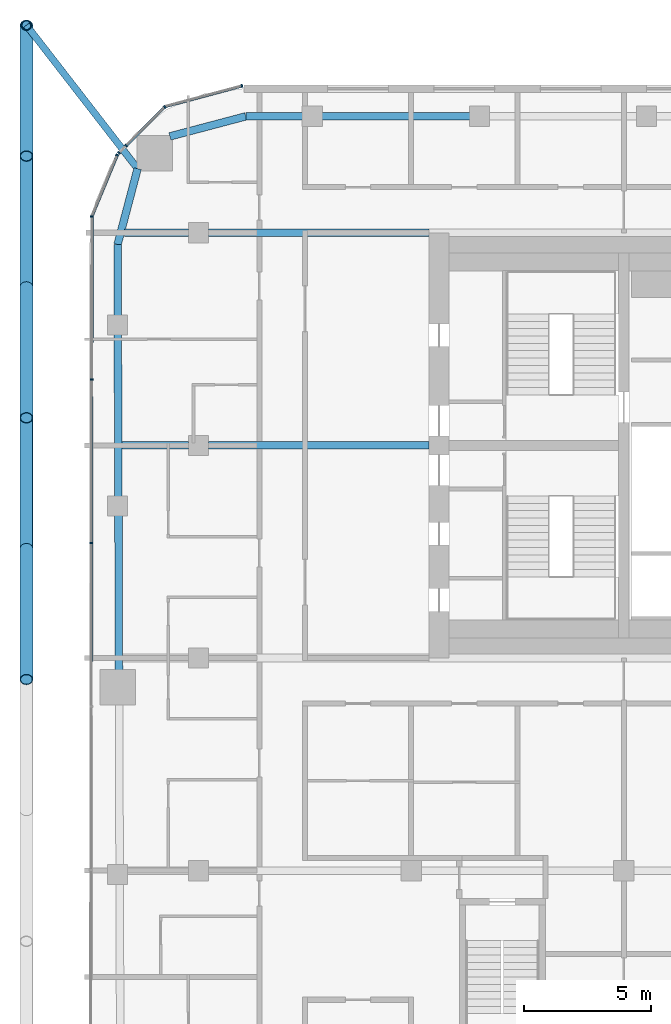
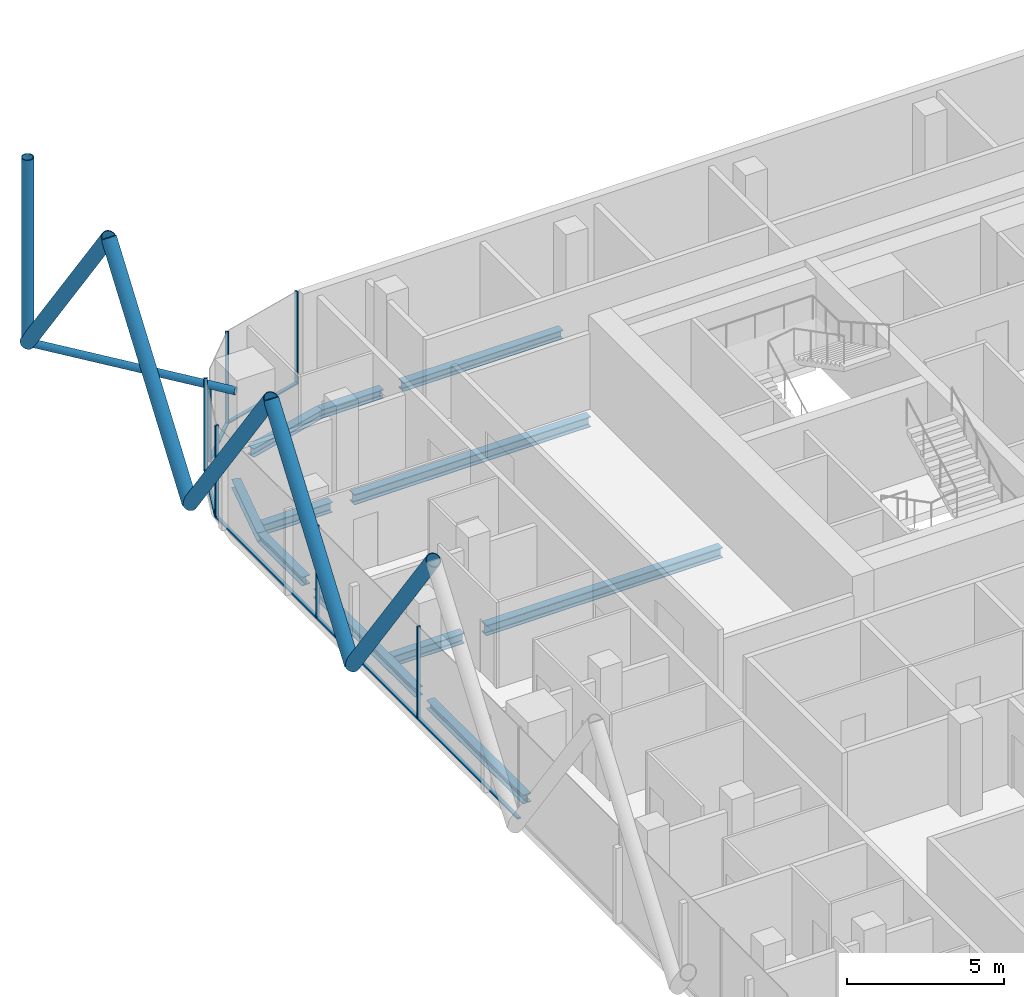
# One storey, part 8 of 28: 21 members, 11 beams, 5 elements without a shape of their own.
"""IFC4 building model written with IfcOpenShell, lengths in metres."""

from ifc_helpers import new_model, si_unit, direction, frame, origin, origin_2d, place, context, subcontext, project, spatial, rectangle, hollow_circle, i_section, extrude, material, layer, layer_set, material_profile, profile_set, type_object, element, aggregate, save


model = new_model("IFC4")

# Units and contexts
model_context = context("Model", 3, precision=1e-05, world=origin(), true_north=direction((0.0, 1.0)))
body_context = subcontext(model_context, "Body", "Model", "MODEL_VIEW")
ifc_project = project(units=[si_unit("LENGTHUNIT", "METRE"), si_unit("AREAUNIT", "SQUARE_METRE"), si_unit("VOLUMEUNIT", "CUBIC_METRE"), si_unit("PLANEANGLEUNIT", "RADIAN"), si_unit("MASSUNIT", "GRAM", prefix="KILO")], contexts=[model_context])

# Site, building, storey
site_placement = place(None, origin())
site = spatial("IfcSite", under=ifc_project, at=site_placement, CompositionType="ELEMENT")
building_placement = place(site_placement, origin())
building = spatial("IfcBuilding", under=site, at=building_placement, Name="Marenta Gate Hotel Tower", CompositionType="ELEMENT")
storey_placement = place(building_placement, frame((0.0, 0.0, 198.5)))
storey = spatial("IfcBuildingStorey", under=building, at=storey_placement, Name="L45", CompositionType="ELEMENT", Elevation=198.5)

# Members
ifc_material_1 = material(Name="Steel S355J2W", Category="steel")
ifc_material_profile_1 = material_profile(ifc_material_1, hollow_circle(Radius=0.203125, WallThickness=0.02490234375, at=origin_2d()), Name="CHS 406.4x25")
ifc_profile_set_1 = profile_set([ifc_material_profile_1], Name="Steel S355J2W")
member_type_1 = type_object("IfcMemberType", Name="Diagrid corner post Z3 CHS 406.4x25", PredefinedType="POST", material=ifc_profile_set_1)
member_1_placement = place(storey_placement, frame((-27.800048828125, 25.0, 3.139892578125), z_axis=(0.0, 0.0, 1.0), x_axis=(1.0, 0.0, 0.0)))
element("IfcMember", 1, at=member_1_placement, inside=storey, type_object=member_type_1, Name="L45-DR-6", PredefinedType="POST", context=body_context, shape_type="SweptSolid", body=[
    extrude(hollow_circle(Radius=0.203125, WallThickness=0.02490234375, at=origin_2d()), origin(), (0.0, 0.0, 1.0), 7.2001953125),
])
ifc_material_2 = material(Name="Steel S355J2W", Category="steel")
ifc_material_profile_2 = material_profile(ifc_material_2, hollow_circle(Radius=0.25390625, WallThickness=0.02490234375, at=origin_2d()), Name="CHS 508x25")
ifc_profile_set_2 = profile_set([ifc_material_profile_2], Name="Steel S355J2W")
member_type_2 = type_object("IfcMemberType", Name="Diagrid diagonal Z3 CHS 508x25", PredefinedType="BRACE", material=ifc_profile_set_2)
member_2_placement = place(storey_placement, frame((-27.800048828125, 4.31982421875, 3.139892578125), z_axis=(0.0, -0.583247791947, 0.812294289767), x_axis=(1.0, 0.0, 0.0)))
element("IfcMember", 2, at=member_2_placement, inside=storey, type_object=member_type_2, Name="L45-DG-30", PredefinedType="BRACE", context=body_context, shape_type="SweptSolid", body=[
    extrude(hollow_circle(Radius=0.25390625, WallThickness=0.02490234375, at=origin_2d()), origin(), (0.0, 0.0, 1.0), 8.864013671875),
])
member_3_placement = place(storey_placement, frame((-27.800048828125, 4.31982421875, 3.139892578125), z_axis=(0.0, 0.583265964901, 0.81228124082), x_axis=(-1.0, 0.0, 0.0)))
element("IfcMember", 3, at=member_3_placement, inside=storey, type_object=member_type_2, Name="L45-DG-31", PredefinedType="BRACE", context=body_context, shape_type="SweptSolid", body=[
    extrude(hollow_circle(Radius=0.25390625, WallThickness=0.02490234375, at=origin_2d()), origin(), (0.0, 0.0, 1.0), 8.8642578125),
])
member_4_placement = place(storey_placement, frame((-27.800048828125, 14.659912109375, 3.139892578125), z_axis=(0.0, -0.583247791947, 0.812294289767), x_axis=(1.0, 0.0, 0.0)))
element("IfcMember", 4, at=member_4_placement, inside=storey, type_object=member_type_2, Name="L45-DG-32", PredefinedType="BRACE", context=body_context, shape_type="SweptSolid", body=[
    extrude(hollow_circle(Radius=0.25390625, WallThickness=0.02490234375, at=origin_2d()), origin(), (0.0, 0.0, 1.0), 8.864013671875),
])
member_5_placement = place(storey_placement, frame((-27.800048828125, 14.659912109375, 3.139892578125), z_axis=(0.0, 0.583265964901, 0.81228124082), x_axis=(-1.0, 0.0, 0.0)))
element("IfcMember", 5, at=member_5_placement, inside=storey, type_object=member_type_2, Name="L45-DG-33", PredefinedType="BRACE", context=body_context, shape_type="SweptSolid", body=[
    extrude(hollow_circle(Radius=0.25390625, WallThickness=0.02490234375, at=origin_2d()), origin(), (0.0, 0.0, 1.0), 8.8642578125),
])
member_6_placement = place(storey_placement, frame((-27.800048828125, 25.0, 3.139892578125), z_axis=(0.0, -0.583247791947, 0.812294289767), x_axis=(1.0, 0.0, 0.0)))
element("IfcMember", 6, at=member_6_placement, inside=storey, type_object=member_type_2, Name="L45-DG-34", PredefinedType="BRACE", context=body_context, shape_type="SweptSolid", body=[
    extrude(hollow_circle(Radius=0.25390625, WallThickness=0.02490234375, at=origin_2d()), origin(), (0.0, 0.0, 1.0), 8.864013671875),
])

# Beams
ifc_material_3 = material(Name="Steel S355", Category="steel")
ifc_material_profile_3 = material_profile(ifc_material_3, i_section(OverallWidth=0.300048828125, OverallDepth=0.340087890625, WebThickness=0.011962890625, FlangeThickness=0.021484375, FilletRadius=0.027099609375, at=origin_2d()), Name="HEB 340")
ifc_profile_set_3 = profile_set([ifc_material_profile_3], Name="Steel S355")
beam_type_1 = type_object("IfcBeamType", Name="Edge beam HEB 340", PredefinedType="SPANDREL", material=ifc_profile_set_3)
beam_1_placement = place(storey_placement, frame((-24.14404296875, -0.489990234375, -0.429931640625), z_axis=(-0.003303859048, 0.999994542243, 0.0), x_axis=(-0.999994542243, -0.003303859048, 0.0)))
element("IfcBeam", 7, at=beam_1_placement, inside=storey, type_object=beam_type_1, Name="L45-EB-8", PredefinedType="SPANDREL", context=body_context, shape_type="SweptSolid", body=[
    extrude(i_section(OverallWidth=0.300048828125, OverallDepth=0.340087890625, WebThickness=0.011962890625, FlangeThickness=0.021484375, FilletRadius=0.027099609375, at=origin_2d()), origin(), (0.0, 0.0, 1.0), 6.13330078125),
])
beam_2_placement = place(storey_placement, frame((-24.166748046875, 6.36328125, -0.429931640625), z_axis=(-0.00333963982, 0.999994423387, 0.0), x_axis=(-0.999994423387, -0.00333963982, 0.0)))
element("IfcBeam", 8, at=beam_2_placement, inside=storey, type_object=beam_type_1, Name="L45-EB-9", PredefinedType="SPANDREL", context=body_context, shape_type="SweptSolid", body=[
    extrude(i_section(OverallWidth=0.300048828125, OverallDepth=0.340087890625, WebThickness=0.011962890625, FlangeThickness=0.021484375, FilletRadius=0.027099609375, at=origin_2d()), origin(), (0.0, 0.0, 1.0), 6.43310546875),
])
beam_3_placement = place(storey_placement, frame((-24.190673828125, 13.516357421875, -0.429931640625), z_axis=(-0.003292020626, 0.999994581285, 0.0), x_axis=(-0.999994581285, -0.003292020626, 0.0)))
element("IfcBeam", 9, at=beam_3_placement, inside=storey, type_object=beam_type_1, Name="L45-EB-10", PredefinedType="SPANDREL", context=body_context, shape_type="SweptSolid", body=[
    extrude(i_section(OverallWidth=0.300048828125, OverallDepth=0.340087890625, WebThickness=0.011962890625, FlangeThickness=0.021484375, FilletRadius=0.027099609375, at=origin_2d()), origin(), (0.0, 0.0, 1.0), 2.818115234375),
])
beam_4_placement = place(storey_placement, frame((-24.199951171875, 16.33447265625, -0.429931640625), z_axis=(0.255648013319, 0.966769927794, 0.0), x_axis=(-0.966769927794, 0.255648013319, 0.0)))
element("IfcBeam", 10, at=beam_4_placement, inside=storey, type_object=beam_type_1, Name="L45-EB-11", PredefinedType="SPANDREL", context=body_context, shape_type="SweptSolid", body=[
    extrude(i_section(OverallWidth=0.300048828125, OverallDepth=0.340087890625, WebThickness=0.011962890625, FlangeThickness=0.021484375, FilletRadius=0.027099609375, at=origin_2d()), origin(), (0.0, 0.0, 1.0), 3.100830078125),
])
beam_5_placement = place(storey_placement, frame((-22.132080078125, 20.607177734375, -0.429931640625), z_axis=(0.9667647815, 0.25566747398, 0.0), x_axis=(-0.25566747398, 0.9667647815, 0.0)))
element("IfcBeam", 11, at=beam_5_placement, inside=storey, type_object=beam_type_1, Name="L45-EB-12", PredefinedType="SPANDREL", context=body_context, shape_type="SweptSolid", body=[
    extrude(i_section(OverallWidth=0.300048828125, OverallDepth=0.340087890625, WebThickness=0.011962890625, FlangeThickness=0.021484375, FilletRadius=0.027099609375, at=origin_2d()), origin(), (0.0, 0.0, 1.0), 3.1005859375),
])
beam_6_placement = place(storey_placement, frame((-19.134521484375, 21.39990234375, -0.429931640625), z_axis=(1.0, 0.0, 0.0), x_axis=(0.0, 1.0, 0.0)))
element("IfcBeam", 12, at=beam_6_placement, inside=storey, type_object=beam_type_1, Name="L45-EB-13", PredefinedType="SPANDREL", context=body_context, shape_type="SweptSolid", body=[
    extrude(i_section(OverallWidth=0.300048828125, OverallDepth=0.340087890625, WebThickness=0.011962890625, FlangeThickness=0.021484375, FilletRadius=0.027099609375, at=origin_2d()), origin(), (0.0, 0.0, 1.0), 2.267578125),
])
beam_7_placement = place(storey_placement, frame((-16.14697265625, 21.39990234375, -0.429931640625), z_axis=(1.0, 0.0, 0.0), x_axis=(0.0, 1.0, 0.0)))
element("IfcBeam", 13, at=beam_7_placement, inside=storey, type_object=beam_type_1, Name="L45-EB-14", PredefinedType="SPANDREL", context=body_context, shape_type="SweptSolid", body=[
    extrude(i_section(OverallWidth=0.300048828125, OverallDepth=0.340087890625, WebThickness=0.011962890625, FlangeThickness=0.021484375, FilletRadius=0.027099609375, at=origin_2d()), origin(), (0.0, 0.0, 1.0), 5.8828125),
])

# Member
ifc_material_4 = material(Name="Steel S355J2W", Category="steel")
ifc_material_profile_4 = material_profile(ifc_material_4, hollow_circle(Radius=0.136474609375, WallThickness=0.012451171875, at=origin_2d()), Name="CHS 273x12.5")
ifc_profile_set_4 = profile_set([ifc_material_profile_4], Name="Steel S355J2W")
member_type_3 = type_object("IfcMemberType", Name="Floor tie CHS 273x12.5", PredefinedType="STRUT", material=ifc_profile_set_4)
member_7_placement = place(storey_placement, frame((-27.800048828125, 25.0, 3.139892578125), z_axis=(0.61259242592, -0.790398962363, 0.0), x_axis=(0.790398962363, 0.61259242592, 0.0)))
element("IfcMember", 14, at=member_7_placement, inside=storey, type_object=member_type_3, Name="L45-DR-12", PredefinedType="STRUT", context=body_context, shape_type="SweptSolid", body=[
    extrude(hollow_circle(Radius=0.136474609375, WallThickness=0.012451171875, at=origin_2d()), origin(), (0.0, 0.0, 1.0), 7.163330078125),
])

# Beams
ifc_material_5 = material(Name="Steel S355", Category="steel")
ifc_material_profile_5 = material_profile(ifc_material_5, i_section(OverallWidth=0.300048828125, OverallDepth=0.39990234375, WebThickness=0.013427734375, FlangeThickness=0.02392578125, FilletRadius=0.027099609375, at=origin_2d()), Name="HEB 400")
ifc_profile_set_5 = profile_set([ifc_material_profile_5], Name="Steel S355")
beam_type_2 = type_object("IfcBeamType", Name="Girder HEB 400", PredefinedType="BEAM", material=ifc_profile_set_5)
beam_8_placement = place(storey_placement, frame((-24.023681640625, 8.39990234375, -0.4599609375), z_axis=(1.0, 0.0, 0.0), x_axis=(0.0, 1.0, 0.0)))
element("IfcBeam", 15, at=beam_8_placement, inside=storey, type_object=beam_type_2, Name="L45-GD-25", PredefinedType="BEAM", context=body_context, shape_type="SweptSolid", body=[
    extrude(i_section(OverallWidth=0.300048828125, OverallDepth=0.39990234375, WebThickness=0.013427734375, FlangeThickness=0.02392578125, FilletRadius=0.027099609375, at=origin_2d()), origin(), (0.0, 0.0, 1.0), 2.623779296875),
])
beam_9_placement = place(storey_placement, frame((-20.60009765625, 8.39990234375, -0.4599609375), z_axis=(1.0, 0.0, 0.0), x_axis=(0.0, 1.0, 0.0)))
element("IfcBeam", 16, at=beam_9_placement, inside=storey, type_object=beam_type_2, Name="L45-GD-26", PredefinedType="BEAM", context=body_context, shape_type="SweptSolid", body=[
    extrude(i_section(OverallWidth=0.300048828125, OverallDepth=0.39990234375, WebThickness=0.013427734375, FlangeThickness=0.02392578125, FilletRadius=0.027099609375, at=origin_2d()), origin(), (0.0, 0.0, 1.0), 8.7001953125),
])
beam_10_placement = place(storey_placement, frame((-23.921630859375, 16.800048828125, -0.4599609375), z_axis=(1.0, 0.0, 0.0), x_axis=(0.0, 1.0, 0.0)))
element("IfcBeam", 17, at=beam_10_placement, inside=storey, type_object=beam_type_2, Name="L45-GD-29", PredefinedType="BEAM", context=body_context, shape_type="SweptSolid", body=[
    extrude(i_section(OverallWidth=0.300048828125, OverallDepth=0.39990234375, WebThickness=0.013427734375, FlangeThickness=0.02392578125, FilletRadius=0.027099609375, at=origin_2d()), origin(), (0.0, 0.0, 1.0), 2.521728515625),
])
beam_11_placement = place(storey_placement, frame((-20.60009765625, 16.800048828125, -0.4599609375), z_axis=(1.0, 0.0, 0.0), x_axis=(0.0, 1.0, 0.0)))
element("IfcBeam", 18, at=beam_11_placement, inside=storey, type_object=beam_type_2, Name="L45-GD-30", PredefinedType="BEAM", context=body_context, shape_type="SweptSolid", body=[
    extrude(i_section(OverallWidth=0.300048828125, OverallDepth=0.39990234375, WebThickness=0.013427734375, FlangeThickness=0.02392578125, FilletRadius=0.027099609375, at=origin_2d()), origin(), (0.0, 0.0, 1.0), 8.7001953125),
])

# Curtain wall, member
ifc_material_6 = material(Name="Tinted insulated glass in bronze anodised frame", Category="glass")
ifc_layer = layer(ifc_material_6, 0.1201171875)
ifc_layer_set = layer_set([ifc_layer], Name="Tinted insulated glass in bronze anodised frame")
curtain_wall_type = type_object("IfcCurtainWallType", Name="Tower unitised curtain wall CW1", PredefinedType="NOTDEFINED", material=ifc_layer_set)
curtain_wall_1_placement = place(storey_placement, origin())
curtain_wall_1 = element("IfcCurtainWall", 19, at=curtain_wall_1_placement, inside=storey, type_object=curtain_wall_type, Name="CW1 run G00", PredefinedType="NOTDEFINED")
ifc_material_7 = material(Name="Bronze anodised aluminium", Category="aluminium")
ifc_material_profile_6 = material_profile(ifc_material_7, rectangle(XDim=0.1201171875, YDim=0.06005859375, at=origin_2d()), Name="Mullion CW1 60x120 bronze anodised aluminium")
ifc_profile_set_6 = profile_set([ifc_material_profile_6], Name="Bronze anodised aluminium")
member_type_4 = type_object("IfcMemberType", Name="Mullion CW1 60x120 bronze anodised aluminium", PredefinedType="MULLION", material=ifc_profile_set_6)
member_8_placement = place(storey_placement, frame((-19.285400390625, 22.603271484375, 0.0), z_axis=(0.0, 0.0, 1.0), x_axis=(0.258801379183, -0.965930559685, 0.0)))
member_8 = element("IfcMember", 20, at=member_8_placement, type_object=member_type_4, Name="CW1 mullion 1", PredefinedType="MULLION", context=body_context, shape_type="SweptSolid", body=[
    extrude(rectangle(XDim=0.1201171875, YDim=0.06005859375, at=origin_2d()), origin(), (0.0, 0.0, 1.0), 3.60009765625),
])

curtain_wall_2_placement = place(storey_placement, origin())
curtain_wall_2 = element("IfcCurtainWall", 21, at=curtain_wall_2_placement, inside=storey, type_object=curtain_wall_type, Name="CW1 run G01", PredefinedType="NOTDEFINED")
member_9_placement = place(storey_placement, frame((-22.334228515625, 21.77099609375, 0.0), z_axis=(0.0, 0.0, 1.0), x_axis=(0.707106781187, -0.707106781187, 0.0)))
member_9 = element("IfcMember", 22, at=member_9_placement, type_object=member_type_4, Name="CW1 mullion 1", PredefinedType="MULLION", context=body_context, shape_type="SweptSolid", body=[
    extrude(rectangle(XDim=0.1201171875, YDim=0.06005859375, at=origin_2d()), origin(), (0.0, 0.0, 1.0), 3.60009765625),
])

# Curtain wall, members
curtain_wall_3_placement = place(storey_placement, origin())
curtain_wall_3 = element("IfcCurtainWall", 23, at=curtain_wall_3_placement, inside=storey, type_object=curtain_wall_type, Name="CW1 run G02", PredefinedType="NOTDEFINED")
member_10_placement = place(storey_placement, frame((-23.86328125, 20.24169921875, 0.0), z_axis=(0.0, 0.0, 1.0), x_axis=(0.707106781187, -0.707106781187, 0.0)))
member_10 = element("IfcMember", 24, at=member_10_placement, type_object=member_type_4, Name="CW1 mullion 1", PredefinedType="MULLION", context=body_context, shape_type="SweptSolid", body=[
    extrude(rectangle(XDim=0.1201171875, YDim=0.06005859375, at=origin_2d()), origin(), (0.0, 0.0, 1.0), 3.00048828125),
])
member_11_placement = place(storey_placement, frame((-24.143798828125, 19.961181640625, 0.0), z_axis=(0.0, 0.0, 1.0), x_axis=(0.707106781187, -0.707106781187, 0.0)))
member_11 = element("IfcMember", 25, at=member_11_placement, type_object=member_type_4, Name="CW1 mullion 2", PredefinedType="MULLION", context=body_context, shape_type="SweptSolid", body=[
    extrude(rectangle(XDim=0.1201171875, YDim=0.06005859375, at=origin_2d()), origin(), (0.0, 0.0, 1.0), 3.00048828125),
])
aggregate(curtain_wall_3, [member_10, member_11])

# Curtain wall, member
curtain_wall_4_placement = place(storey_placement, origin())
curtain_wall_4 = element("IfcCurtainWall", 26, at=curtain_wall_4_placement, inside=storey, type_object=curtain_wall_type, Name="CW1 run G03", PredefinedType="NOTDEFINED")
member_12_placement = place(storey_placement, frame((-24.215087890625, 19.87353515625, 0.0), z_axis=(0.0, 0.0, 1.0), x_axis=(0.923886433266, -0.382666772044, 0.0)))
member_12 = element("IfcMember", 27, at=member_12_placement, type_object=member_type_4, Name="CW1 mullion 1", PredefinedType="MULLION", context=body_context, shape_type="SweptSolid", body=[
    extrude(rectangle(XDim=0.1201171875, YDim=0.06005859375, at=origin_2d()), origin(), (0.0, 0.0, 1.0), 3.60009765625),
])

# Curtain wall, members
curtain_wall_5_placement = place(storey_placement, origin())
curtain_wall_5 = element("IfcCurtainWall", 28, at=curtain_wall_5_placement, inside=storey, type_object=curtain_wall_type, Name="CW1 run G04", PredefinedType="NOTDEFINED")
member_13_placement = place(storey_placement, frame((-25.21240234375, 17.436279296875, 0.0), z_axis=(0.0, 0.0, 1.0), x_axis=(0.99999877375, -0.001566045546, 0.0)))
member_13 = element("IfcMember", 29, at=member_13_placement, type_object=member_type_4, Name="CW1 mullion 1", PredefinedType="MULLION", context=body_context, shape_type="SweptSolid", body=[
    extrude(rectangle(XDim=0.1201171875, YDim=0.06005859375, at=origin_2d()), origin(), (0.0, 0.0, 1.0), 3.60009765625),
])
member_14_placement = place(storey_placement, frame((-25.222412109375, 11.006103515625, 0.0), z_axis=(0.0, 0.0, 1.0), x_axis=(0.99999877375, -0.001566045546, 0.0)))
member_14 = element("IfcMember", 30, at=member_14_placement, type_object=member_type_4, Name="CW1 mullion 2", PredefinedType="MULLION", context=body_context, shape_type="SweptSolid", body=[
    extrude(rectangle(XDim=0.1201171875, YDim=0.06005859375, at=origin_2d()), origin(), (0.0, 0.0, 1.0), 3.60009765625),
])
member_15_placement = place(storey_placement, frame((-25.232421875, 4.546142578125, 0.0), z_axis=(0.0, 0.0, 1.0), x_axis=(0.99999877375, -0.001566045546, 0.0)))
member_15 = element("IfcMember", 31, at=member_15_placement, type_object=member_type_4, Name="CW1 mullion 3", PredefinedType="MULLION", context=body_context, shape_type="SweptSolid", body=[
    extrude(rectangle(XDim=0.1201171875, YDim=0.06005859375, at=origin_2d()), origin(), (0.0, 0.0, 1.0), 3.60009765625),
])

# Member
ifc_material_8 = material(Name="Bronze anodised aluminium", Category="aluminium")
ifc_material_profile_7 = material_profile(ifc_material_8, rectangle(XDim=0.1201171875, YDim=0.06005859375, at=origin_2d()), Name="Transom CW1 60x120 bronze anodised aluminium")
ifc_profile_set_7 = profile_set([ifc_material_profile_7], Name="Bronze anodised aluminium")
member_type_5 = type_object("IfcMemberType", Name="Transom CW1 60x120 bronze anodised aluminium", PredefinedType="USERDEFINED", material=ifc_profile_set_7)
member_16_placement = place(storey_placement, frame((-19.314453125, 22.595458984375, 0.030029296875), z_axis=(-0.965924882171, -0.258822568574, 0.0), x_axis=(0.258822568574, -0.965924882171, 0.0)))
member_16 = element("IfcMember", 32, at=member_16_placement, type_object=member_type_5, Name="CW1 transom 1.1", ObjectType="TRANSOM", PredefinedType="USERDEFINED", context=body_context, shape_type="SweptSolid", body=[
    extrude(rectangle(XDim=0.1201171875, YDim=0.06005859375, at=origin_2d()), origin(), (0.0, 0.0, 1.0), 3.104248046875),
])

aggregate(curtain_wall_1, [member_8, member_16])

member_17_placement = place(storey_placement, frame((-22.355224609375, 21.749755859375, 0.030029296875), z_axis=(-0.707106781187, -0.707106781187, 0.0), x_axis=(0.707106781187, -0.707106781187, 0.0)))
member_17 = element("IfcMember", 33, at=member_17_placement, type_object=member_type_5, Name="CW1 transom 1.1", ObjectType="TRANSOM", PredefinedType="USERDEFINED", context=body_context, shape_type="SweptSolid", body=[
    extrude(rectangle(XDim=0.1201171875, YDim=0.06005859375, at=origin_2d()), origin(), (0.0, 0.0, 1.0), 2.102783203125),
])

aggregate(curtain_wall_2, [member_9, member_17])

member_18_placement = place(storey_placement, frame((-24.2265625, 19.845947265625, 0.030029296875), z_axis=(-0.382736860682, -0.923857399968, 0.0), x_axis=(0.923857399968, -0.382736860682, 0.0)))
member_18 = element("IfcMember", 34, at=member_18_placement, type_object=member_type_5, Name="CW1 transom 1.1", ObjectType="TRANSOM", PredefinedType="USERDEFINED", context=body_context, shape_type="SweptSolid", body=[
    extrude(rectangle(XDim=0.1201171875, YDim=0.06005859375, at=origin_2d()), origin(), (0.0, 0.0, 1.0), 2.57568359375),
])

aggregate(curtain_wall_4, [member_12, member_18])

member_19_placement = place(storey_placement, frame((-25.21240234375, 17.40625, 0.030029296875), z_axis=(-0.00157136093, -0.999998765412, 0.0), x_axis=(0.999998765412, -0.00157136093, 0.0)))
member_19 = element("IfcMember", 35, at=member_19_placement, type_object=member_type_5, Name="CW1 transom 1.1", ObjectType="TRANSOM", PredefinedType="USERDEFINED", context=body_context, shape_type="SweptSolid", body=[
    extrude(rectangle(XDim=0.1201171875, YDim=0.06005859375, at=origin_2d()), origin(), (0.0, 0.0, 1.0), 6.3701171875),
])

member_20_placement = place(storey_placement, frame((-25.222412109375, 10.976318359375, 0.030029296875), z_axis=(-0.001563988169, -0.99999877697, 0.0), x_axis=(0.99999877697, -0.001563988169, 0.0)))
member_20 = element("IfcMember", 36, at=member_20_placement, type_object=member_type_5, Name="CW1 transom 2.1", ObjectType="TRANSOM", PredefinedType="USERDEFINED", context=body_context, shape_type="SweptSolid", body=[
    extrude(rectangle(XDim=0.1201171875, YDim=0.06005859375, at=origin_2d()), origin(), (0.0, 0.0, 1.0), 6.400146484375),
])

member_21_placement = place(storey_placement, frame((-25.232666015625, 4.51611328125, 0.030029296875), z_axis=(-0.001564047831, -0.999998776876, 0.0), x_axis=(0.999998776876, -0.001564047831, 0.0)))
member_21 = element("IfcMember", 37, at=member_21_placement, type_object=member_type_5, Name="CW1 transom 3.1", ObjectType="TRANSOM", PredefinedType="USERDEFINED", context=body_context, shape_type="SweptSolid", body=[
    extrude(rectangle(XDim=0.1201171875, YDim=0.06005859375, at=origin_2d()), origin(), (0.0, 0.0, 1.0), 6.39990234375),
])

aggregate(curtain_wall_5, [member_13, member_14, member_15, member_19, member_20, member_21])

save(model, "model.ifc")
